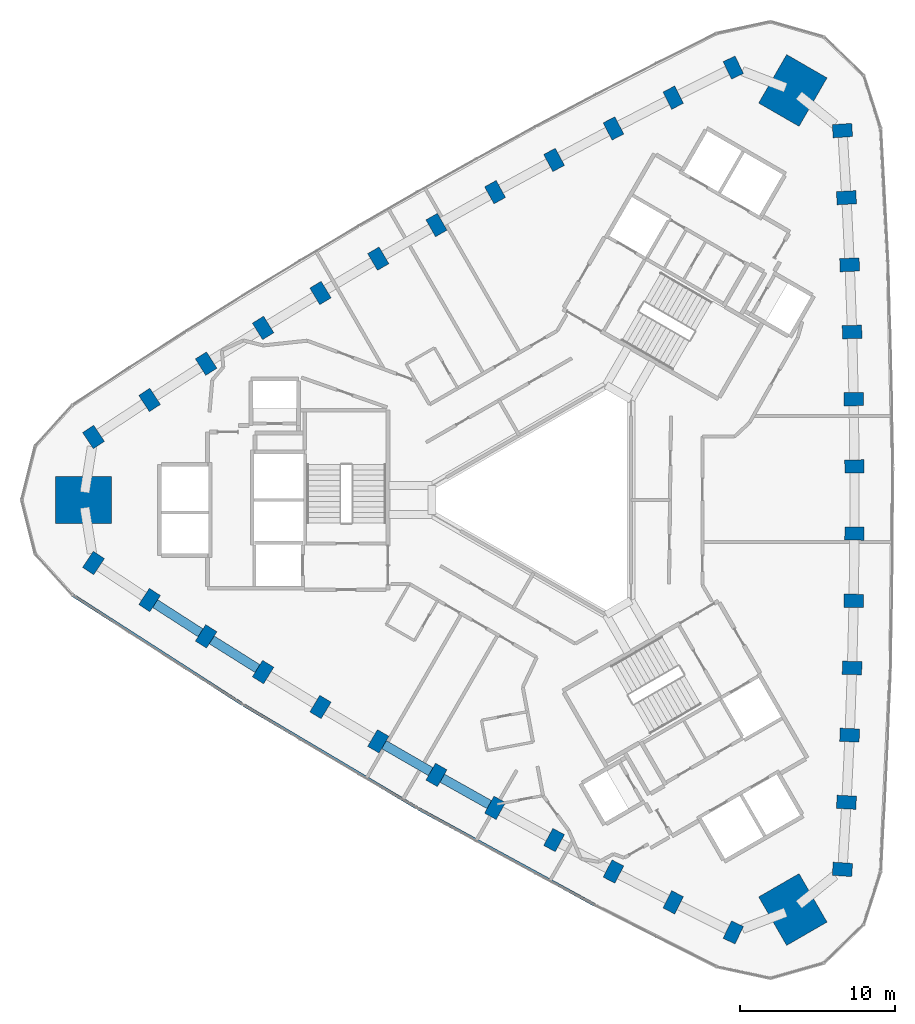
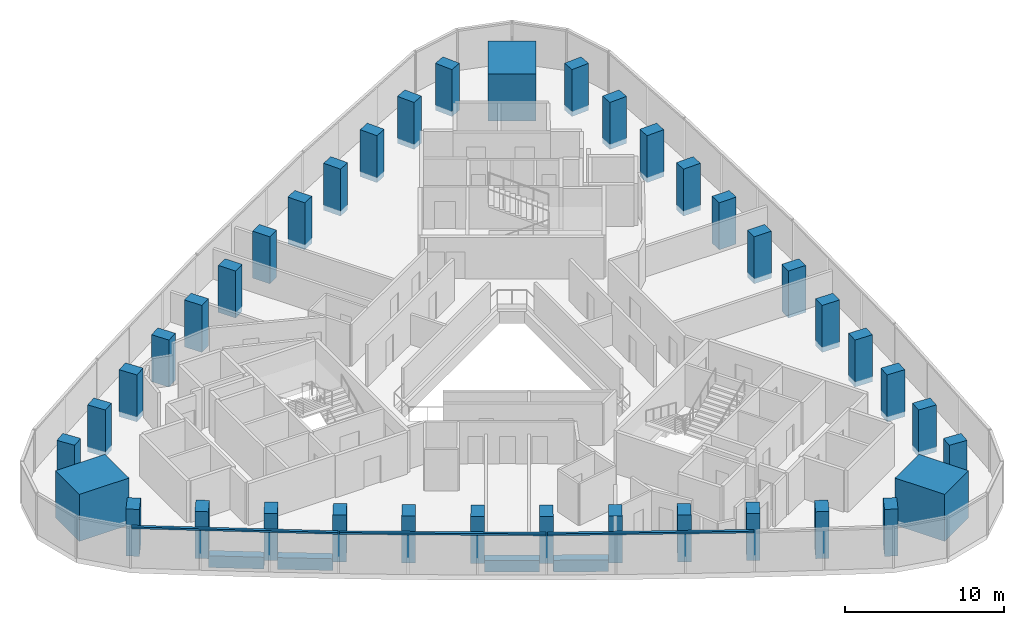
# One storey, part 1 of 12: 39 columns, 4 beams, 3 members, 1 element without a shape of its own.
"""IFC4 building model written with IfcOpenShell, lengths in metres."""

from ifc_helpers import new_model, si_unit, direction, frame, origin, origin_2d, place, context, subcontext, project, spatial, rectangle, extrude, material, material_profile, profile_set, type_object, element, aggregate, save


model = new_model("IFC4")

# Units and contexts
model_context = context("Model", 3, precision=1e-05, world=origin(), true_north=direction((0.0, 1.0)))
body_context = subcontext(model_context, "Body", "Model", "MODEL_VIEW")
ifc_project = project(units=[si_unit("LENGTHUNIT", "METRE"), si_unit("AREAUNIT", "SQUARE_METRE"), si_unit("VOLUMEUNIT", "CUBIC_METRE"), si_unit("PLANEANGLEUNIT", "RADIAN"), si_unit("MASSUNIT", "GRAM", prefix="KILO")], contexts=[model_context])

# Site, building, storey
site_placement = place(None, origin())
site = spatial("IfcSite", under=ifc_project, at=site_placement, CompositionType="ELEMENT")
building_placement = place(site_placement, origin())
building = spatial("IfcBuilding", under=site, at=building_placement, Name="Tamra Quay Hotel Tower", CompositionType="ELEMENT")
storey_placement = place(building_placement, frame((0.0, 0.0, 143.199951171875)))
storey = spatial("IfcBuildingStorey", under=building, at=storey_placement, Name="L35", CompositionType="ELEMENT", Elevation=143.199951171875)

# Columns
ifc_material_1 = material(Name="Concrete M70", Category="concrete")
ifc_material_profile_1 = material_profile(ifc_material_1, rectangle(XDim=1.25, YDim=0.85009765625, at=origin_2d()), Name="COLUMN RC 850x1250 Z3")
ifc_profile_set_1 = profile_set([ifc_material_profile_1], Name="Concrete M70")
column_type_1 = type_object("IfcColumnType", Name="COLUMN RC 850x1250 Z3", PredefinedType="COLUMN", material=ifc_profile_set_1)
for number, where, z_axis, x_axis, name in (
    (1, (18.396728515625, -23.757080078125, -0.39990234375), (0.0, 0.0, 1.0), (-0.997857895766, 0.065418803553, 0.0), "COL-C3E01-L35"),
    (2, (18.654541015625, -19.4423828125, -0.39990234375), (0.0, 0.0, 1.0), (-0.998562324173, 0.053603029218, 0.0), "COL-C3E02-L35"),
    (3, (18.86083984375, -15.124267578125, -0.39990234375), (0.0, 0.0, 1.0), (-0.999109109653, 0.042201741775, 0.0), "COL-C3E03-L35"),
    (4, (19.015869140625, -10.8046875, -0.39990234375), (0.0, 0.0, 1.0), (-0.99955268585, 0.029906992649, 0.0), "COL-C3E04-L35"),
    (5, (19.119140625, -6.483642578125, -0.39990234375), (0.0, 0.0, 1.0), (-0.999845156469, 0.017597246518, 0.0), "COL-C3E05-L35"),
    (6, (19.1708984375, -2.1611328125, -0.39990234375), (0.0, 0.0, 1.0), (-0.999981031775, 0.006159227987, 0.0), "COL-C3E06-L35"),
    (7, (19.1708984375, 2.1611328125, -0.39990234375), (0.0, 0.0, 1.0), (0.999981031775, 0.006159227987, 0.0), "COL-C3E07-L35"),
    (8, (19.119140625, 6.483642578125, -0.39990234375), (0.0, 0.0, 1.0), (0.999845156469, 0.017597246518, 0.0), "COL-C3E08-L35"),
    (9, (19.015869140625, 10.8046875, -0.39990234375), (0.0, 0.0, 1.0), (0.99955268585, 0.029906992649, 0.0), "COL-C3E09-L35"),
    (10, (18.86083984375, 15.124267578125, -0.39990234375), (0.0, 0.0, 1.0), (0.999109109653, 0.042201741775, 0.0), "COL-C3E10-L35"),
    (11, (18.654541015625, 19.4423828125, -0.39990234375), (0.0, 0.0, 1.0), (0.998562324173, 0.053603029218, 0.0), "COL-C3E11-L35"),
    (12, (18.396728515625, 23.757080078125, -0.39990234375), (0.0, 0.0, 1.0), (0.997857895766, 0.065418803553, 0.0), "COL-C3E12-L35"),
    (13, (11.3759765625, 27.810546875, -0.39990234375), (0.0, 0.0, 1.0), (-0.44227460212, 0.896879688877, 0.0), "COL-C3NW01-L35"),
    (14, (7.51025390625, 25.87646484375, -0.39990234375), (0.0, 0.0, 1.0), (-0.452859577064, 0.891581854605, 0.0), "COL-C3NW02-L35"),
    (15, (3.66748046875, 23.896240234375, -0.39990234375), (0.0, 0.0, 1.0), (-0.463006774365, 0.886354740999, 0.0), "COL-C3NW03-L35"),
    (16, (-0.150634765625, 21.87060546875, -0.39990234375), (0.0, 0.0, 1.0), (-0.47387612754, 0.880591514692, 0.0), "COL-C3NW04-L35"),
    (17, (-3.944580078125, 19.799560546875, -0.39990234375), (0.0, 0.0, 1.0), (-0.484682915713, 0.874689928612, 0.0), "COL-C3NW05-L35"),
    (18, (-7.7138671875, 17.68310546875, -0.39990234375), (0.0, 0.0, 1.0), (-0.494656467983, 0.869088590813, 0.0), "COL-C3NW06-L35"),
    (19, (-11.45703125, 15.521728515625, -0.39990234375), (0.0, 0.0, 1.0), (-0.505324563792, 0.862929362827, 0.0), "COL-C3NW07-L35"),
    (20, (-15.174560546875, 13.31591796875, -0.39990234375), (0.0, 0.0, 1.0), (-0.515162240756, 0.857092682094, 0.0), "COL-C3NW08-L35"),
    (21, (-18.864990234375, 11.06591796875, -0.39990234375), (0.0, 0.0, 1.0), (-0.52567655831, 0.850684522043, 0.0), "COL-C3NW09-L35"),
    (22, (-22.528564453125, 8.771728515625, -0.39990234375), (0.0, 0.0, 1.0), (-0.536102335288, 0.844152999224, 0.0), "COL-C3NW10-L35"),
    (23, (-26.164794921875, 6.43408203125, -0.39990234375), (0.0, 0.0, 1.0), (-0.545702747109, 0.837978825387, 0.0), "COL-C3NW11-L35"),
    (24, (-29.772705078125, 4.053466796875, -0.39990234375), (0.0, 0.0, 1.0), (-0.555583293645, 0.831460885323, 0.0), "COL-C3NW12-L35"),
    (25, (-29.772705078125, -4.053466796875, -0.39990234375), (0.0, 0.0, 1.0), (0.555583293645, 0.831460885323, 0.0), "COL-C3SW01-L35"),
    (26, (-26.164794921875, -6.43408203125, -0.39990234375), (0.0, 0.0, 1.0), (0.545702747109, 0.837978825387, 0.0), "COL-C3SW02-L35"),
    (27, (-22.528564453125, -8.771728515625, -0.39990234375), (0.0, 0.0, 1.0), (0.536102335288, 0.844152999224, 0.0), "COL-C3SW03-L35"),
    (28, (-18.864990234375, -11.06591796875, -0.39990234375), (0.0, 0.0, 1.0), (0.52567655831, 0.850684522043, 0.0), "COL-C3SW04-L35"),
    (29, (-15.174560546875, -13.31591796875, -0.39990234375), (0.0, 0.0, 1.0), (0.515162240756, 0.857092682094, 0.0), "COL-C3SW05-L35"),
    (30, (-11.45703125, -15.521728515625, -0.39990234375), (0.0, 0.0, 1.0), (0.505324563792, 0.862929362827, 0.0), "COL-C3SW06-L35"),
    (31, (-7.7138671875, -17.68310546875, -0.39990234375), (0.0, 0.0, 1.0), (0.494656467983, 0.869088590813, 0.0), "COL-C3SW07-L35"),
    (32, (-3.944580078125, -19.799560546875, -0.39990234375), (0.0, 0.0, 1.0), (0.484682915713, 0.874689928612, 0.0), "COL-C3SW08-L35"),
    (33, (-0.150634765625, -21.87060546875, -0.39990234375), (0.0, 0.0, 1.0), (0.47387612754, 0.880591514692, 0.0), "COL-C3SW09-L35"),
    (34, (3.66748046875, -23.896240234375, -0.39990234375), (0.0, 0.0, 1.0), (0.463006774365, 0.886354740999, 0.0), "COL-C3SW10-L35"),
    (35, (7.51025390625, -25.87646484375, -0.39990234375), (0.0, 0.0, 1.0), (0.452859577064, 0.891581854605, 0.0), "COL-C3SW11-L35"),
    (36, (11.3759765625, -27.810546875, -0.39990234375), (0.0, 0.0, 1.0), (0.44227460212, 0.896879688877, 0.0), "COL-C3SW12-L35"),
):
    element("IfcColumn", number, at=place(storey_placement, frame(where, z_axis=z_axis, x_axis=x_axis)), inside=storey, type_object=column_type_1, Name=name, PredefinedType="COLUMN", context=body_context, shape_type="SweptSolid", body=[
        extrude(rectangle(XDim=1.25, YDim=0.85009765625, at=origin_2d()), origin(), (0.0, 0.0, 1.0), 3.599853515625),
    ])
ifc_material_profile_2 = material_profile(ifc_material_1, rectangle(XDim=3.60009765625, YDim=3.0, at=origin_2d()), Name="MEGA COLUMN RC 3000x3600 Z3")
ifc_profile_set_2 = profile_set([ifc_material_profile_2], Name="Concrete M70")
column_type_2 = type_object("IfcColumnType", Name="MEGA COLUMN RC 3000x3600 Z3", PredefinedType="COLUMN", material=ifc_profile_set_2)
for number, where, z_axis, x_axis, name in (
    (37, (15.20703125, 26.339599609375, -0.39990234375), (0.0, 0.0, 1.0), (0.5, 0.866025403784, 0.0), "COL-M3NE-L35"),
    (38, (-30.414306640625, 0.0, -0.39990234375), (0.0, 0.0, 1.0), (1.0, 0.0, 0.0), "COL-M3W-L35"),
    (39, (15.20703125, -26.339599609375, -0.39990234375), (0.0, 0.0, 1.0), (-0.5, 0.866025403784, 0.0), "COL-M3SE-L35"),
):
    element("IfcColumn", number, at=place(storey_placement, frame(where, z_axis=z_axis, x_axis=x_axis)), inside=storey, type_object=column_type_2, Name=name, PredefinedType="COLUMN", context=body_context, shape_type="SweptSolid", body=[
        extrude(rectangle(XDim=3.60009765625, YDim=3.0, at=origin_2d()), origin(), (0.0, 0.0, 1.0), 3.599853515625),
    ])

# Beams
ifc_material_2 = material(Name="Concrete M60", Category="concrete")
ifc_material_profile_3 = material_profile(ifc_material_2, rectangle(XDim=0.60009765625, YDim=0.89990234375, at=origin_2d()), Name="SPANDREL BEAM RC 600x900")
ifc_profile_set_3 = profile_set([ifc_material_profile_3], Name="Concrete M60")
beam_type = type_object("IfcBeamType", Name="SPANDREL BEAM RC 600x900", PredefinedType="SPANDREL", material=ifc_profile_set_3)
beam_1_placement = place(storey_placement, frame((-25.807373046875, -6.663818359375, -0.849853515625), z_axis=(0.84116020305, -0.540786013878, 0.0), x_axis=(0.540786013878, 0.84116020305, 0.0)))
element("IfcBeam", 40, at=beam_1_placement, inside=storey, type_object=beam_type, Name="BM-SP3-027-L35", PredefinedType="SPANDREL", context=body_context, shape_type="SweptSolid", body=[
    extrude(rectangle(XDim=0.60009765625, YDim=0.89990234375, at=origin_2d()), origin(), (0.0, 0.0, 1.0), 3.47314453125),
])
for number, where, z_axis, x_axis, name in (
    (41, (-22.168212890625, -8.997314453125, -0.849853515625), (0.847547681474, -0.530719255, 0.0), (0.530719255, 0.847547681474, 0.0), "BM-SP3-028-L35"),
    (42, (-11.0888671875, -15.734375, -0.849853515625), (0.866032201241, -0.499988226275, 0.0), (0.499988226275, 0.866032201241, 0.0), "BM-SP3-031-L35"),
):
    element("IfcBeam", number, at=place(storey_placement, frame(where, z_axis=z_axis, x_axis=x_axis)), inside=storey, type_object=beam_type, Name=name, PredefinedType="SPANDREL", context=body_context, shape_type="SweptSolid", body=[
        extrude(rectangle(XDim=0.60009765625, YDim=0.89990234375, at=origin_2d()), origin(), (0.0, 0.0, 1.0), 3.47216796875),
    ])
beam_2_placement = place(storey_placement, frame((-7.34326171875, -17.89111328125, -0.849853515625), z_axis=(0.871956406858, -0.489583521516, 0.0), x_axis=(0.489583521516, 0.871956406858, 0.0)))
element("IfcBeam", 43, at=beam_2_placement, inside=storey, type_object=beam_type, Name="BM-SP3-032-L35", PredefinedType="SPANDREL", context=body_context, shape_type="SweptSolid", body=[
    extrude(rectangle(XDim=0.60009765625, YDim=0.89990234375, at=origin_2d()), origin(), (0.0, 0.0, 1.0), 3.47265625),
])

# Curtain wall, members
ifc_material_3 = material(Name="Aluminium 6063 anodised dark grey", Category="aluminium")
curtain_wall_type = type_object("IfcCurtainWallType", Name="CW3 CURTAIN WALL", PredefinedType="NOTDEFINED", material=ifc_material_3)
curtain_wall_placement = place(storey_placement, origin())
curtain_wall = element("IfcCurtainWall", 44, at=curtain_wall_placement, inside=storey, type_object=curtain_wall_type, Name="CW3 south-west face L35", PredefinedType="NOTDEFINED")
ifc_material_profile_4 = material_profile(ifc_material_3, rectangle(XDim=0.199951171875, YDim=0.139892578125, at=origin_2d()), Name="TRANSOM 200X140")
ifc_profile_set_4 = profile_set([ifc_material_profile_4], Name="Aluminium 6063 anodised dark grey")
member_type = type_object("IfcMemberType", Name="TRANSOM CW3 Z3", PredefinedType="USERDEFINED", material=ifc_profile_set_4)
member_1_placement = place(storey_placement, frame((-31.09814453125, -6.126953125, 3.130126953125), z_axis=(0.841163779418, -0.54078045101, 0.0), x_axis=(0.54078045101, 0.841163779418, 0.0)))
member_1 = element("IfcMember", 45, at=member_1_placement, type_object=member_type, Name="CW3 transom L35.SW.1", ObjectType="TRANSOM", PredefinedType="USERDEFINED", context=body_context, shape_type="SweptSolid", body=[
    extrude(rectangle(XDim=0.199951171875, YDim=0.139892578125, at=origin_2d()), origin(), (0.0, 0.0, 1.0), 12.95458984375),
])
member_2_placement = place(storey_placement, frame((-20.115966796875, -13.18505859375, 3.130126953125), z_axis=(0.859981906486, -0.510324524707, 0.0), x_axis=(0.510324524707, 0.859981906486, 0.0)))
member_2 = element("IfcMember", 46, at=member_2_placement, type_object=member_type, Name="CW3 transom L35.SW.4", ObjectType="TRANSOM", PredefinedType="USERDEFINED", context=body_context, shape_type="SweptSolid", body=[
    extrude(rectangle(XDim=0.199951171875, YDim=0.139892578125, at=origin_2d()), origin(), (0.0, 0.0, 1.0), 12.95556640625),
])
member_3_placement = place(storey_placement, frame((-8.887451171875, -19.84619140625, 3.130126953125), z_axis=(0.877730603068, -0.479154451548, 0.0), x_axis=(0.479154451548, 0.877730603068, 0.0)))
member_3 = element("IfcMember", 47, at=member_3_placement, type_object=member_type, Name="CW3 transom L35.SW.7", ObjectType="TRANSOM", PredefinedType="USERDEFINED", context=body_context, shape_type="SweptSolid", body=[
    extrude(rectangle(XDim=0.199951171875, YDim=0.139892578125, at=origin_2d()), origin(), (0.0, 0.0, 1.0), 12.95556640625),
])
aggregate(curtain_wall, [member_1, member_2, member_3])

save(model, "model.ifc")
